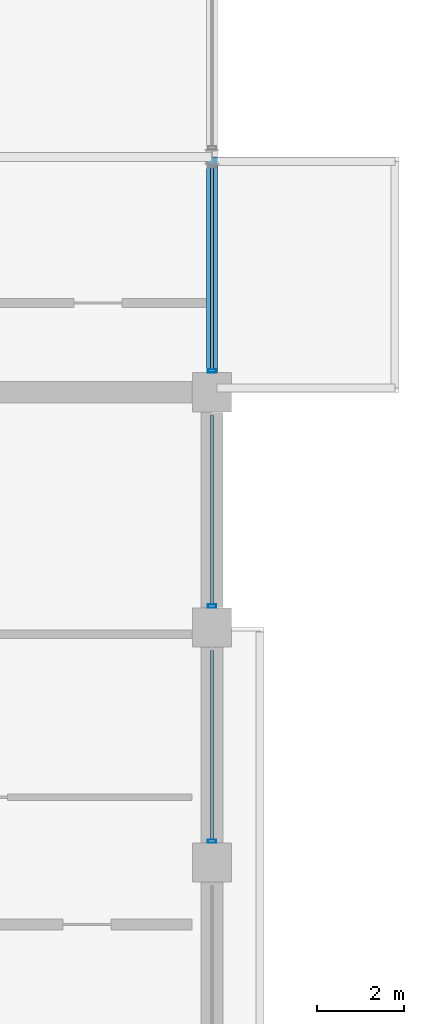
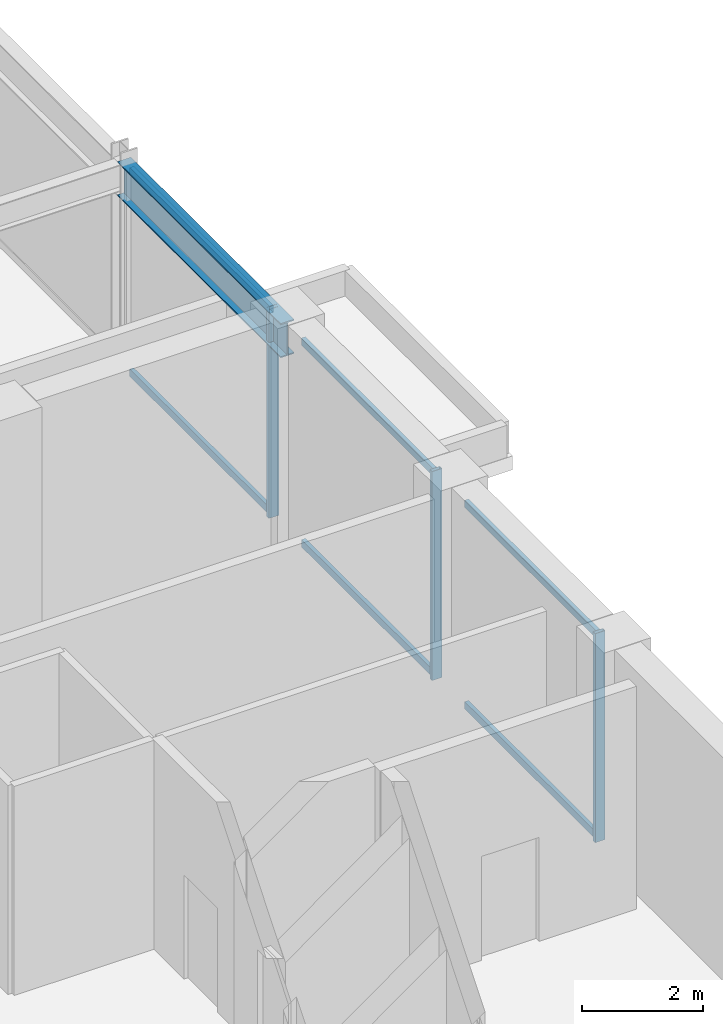
# One storey, part 9 of 18: 9 members, 1 beam, 1 element without a shape of its own.
"""IFC4 building model written with IfcOpenShell, lengths in metres."""

from ifc_helpers import new_model, si_unit, direction, frame, origin, origin_2d, place, context, subcontext, project, spatial, hollow_rectangle, i_section, extrude, material, layer, layer_set, material_profile, profile_set, type_object, element, aggregate, save


model = new_model("IFC4")

# Units and contexts
model_context = context("Model", 3, precision=1e-05, world=origin(), true_north=direction((0.0, 1.0)))
body_context = subcontext(model_context, "Body", "Model", "MODEL_VIEW")
ifc_project = project(units=[si_unit("LENGTHUNIT", "METRE"), si_unit("AREAUNIT", "SQUARE_METRE"), si_unit("VOLUMEUNIT", "CUBIC_METRE"), si_unit("PLANEANGLEUNIT", "RADIAN"), si_unit("MASSUNIT", "GRAM", prefix="KILO")], contexts=[model_context])

# Site, building, storey
site_placement = place(None, origin())
site = spatial("IfcSite", under=ifc_project, at=site_placement, CompositionType="ELEMENT")
building_placement = place(site_placement, origin())
building = spatial("IfcBuilding", under=site, at=building_placement, Name="Surkhivell Harbour Commons", CompositionType="ELEMENT")
storey_placement = place(building_placement, frame((0.0, 0.0, 351.0)))
storey = spatial("IfcBuildingStorey", under=building, at=storey_placement, Name="L91", CompositionType="ELEMENT", Elevation=351.0)

# Beam
ifc_material_1 = material(Name="Steel S355", Category="steel")
ifc_material_profile_1 = material_profile(ifc_material_1, i_section(OverallWidth=0.256103515625, OverallDepth=0.693115234375, WebThickness=0.014404296875, FlangeThickness=0.023681640625, at=origin_2d()), Name="UB686x254x170")
ifc_profile_set_1 = profile_set([ifc_material_profile_1], Name="Steel S355")
beam_type = type_object("IfcBeamType", Name="BM-SPN-686", PredefinedType="SPANDREL", material=ifc_profile_set_1)
beam_placement = place(storey_placement, frame((10.800048828125, 10.800048828125, 3.87353515625), z_axis=(0.0, 1.0, 0.0), x_axis=(-1.0, 0.0, 0.0)))
element("IfcBeam", 1, at=beam_placement, inside=storey, type_object=beam_type, Name="L91 Tube Spandrel (10.8,10.8)", PredefinedType="SPANDREL", context=body_context, shape_type="SweptSolid", body=[
    extrude(i_section(OverallWidth=0.256103515625, OverallDepth=0.693115234375, WebThickness=0.014404296875, FlangeThickness=0.023681640625, at=origin_2d()), origin(), (0.0, 0.0, 1.0), 5.39990234375),
])

# Curtain wall, members
ifc_material_2 = material(Name="Anodised pale-metal aluminium and insulated glazing", Category="aluminium")
ifc_layer = layer(ifc_material_2, 0.22998046875)
ifc_layer_set = layer_set([ifc_layer], Name="Anodised pale-metal aluminium and insulated glazing")
curtain_wall_type = type_object("IfcCurtainWallType", Name="CW-SYS-CRN", PredefinedType="NOTDEFINED", material=ifc_layer_set)
curtain_wall_placement = place(storey_placement, origin())
curtain_wall = element("IfcCurtainWall", 2, at=curtain_wall_placement, inside=storey, type_object=curtain_wall_type, Name="L91 Curtain Wall CW-L91-C06S1", PredefinedType="NOTDEFINED")
ifc_material_3 = material(Name="Anodised pale-metal aluminium alloy 6063-T6", Category="aluminium")
ifc_material_profile_2 = material_profile(ifc_material_3, hollow_rectangle(XDim=0.074951171875, YDim=0.18994140625, WallThickness=0.00390625, at=origin_2d()), Name="ALU-MULL-75x190")
ifc_profile_set_2 = profile_set([ifc_material_profile_2], Name="Anodised pale-metal aluminium alloy 6063-T6")
member_type_1 = type_object("IfcMemberType", Name="CWM-190", PredefinedType="MULLION", material=ifc_profile_set_2)
member_1_placement = place(storey_placement, frame((10.800048828125, 0.489501953125, 0.0), z_axis=(0.0, 0.0, 1.0), x_axis=(0.0, 1.0, 0.0)))
member_1 = element("IfcMember", 3, at=member_1_placement, type_object=member_type_1, Name="CW-CRN mullion 3", PredefinedType="MULLION", context=body_context, shape_type="SweptSolid", body=[
    extrude(hollow_rectangle(XDim=0.074951171875, YDim=0.18994140625, WallThickness=0.00390625, at=origin_2d()), origin(), (0.0, 0.0, 1.0), 4.219970703125),
])
member_2_placement = place(storey_placement, frame((10.800048828125, 5.889404296875, 0.0), z_axis=(0.0, 0.0, 1.0), x_axis=(0.0, 1.0, 0.0)))
member_2 = element("IfcMember", 4, at=member_2_placement, type_object=member_type_1, Name="CW-CRN mullion 4", PredefinedType="MULLION", context=body_context, shape_type="SweptSolid", body=[
    extrude(hollow_rectangle(XDim=0.074951171875, YDim=0.18994140625, WallThickness=0.00390625, at=origin_2d()), origin(), (0.0, 0.0, 1.0), 4.219970703125),
])
member_3_placement = place(storey_placement, frame((10.800048828125, 11.28955078125, 0.0), z_axis=(0.0, 0.0, 1.0), x_axis=(0.0, 1.0, 0.0)))
member_3 = element("IfcMember", 5, at=member_3_placement, type_object=member_type_1, Name="CW-CRN mullion 5", PredefinedType="MULLION", context=body_context, shape_type="SweptSolid", body=[
    extrude(hollow_rectangle(XDim=0.074951171875, YDim=0.18994140625, WallThickness=0.00390625, at=origin_2d()), origin(), (0.0, 0.0, 1.0), 4.219970703125),
])
ifc_material_profile_3 = material_profile(ifc_material_3, hollow_rectangle(XDim=0.074951171875, YDim=0.14990234375, WallThickness=0.00341796875, at=origin_2d()), Name="ALU-TRAN-75x150")
ifc_profile_set_3 = profile_set([ifc_material_profile_3], Name="Anodised pale-metal aluminium alloy 6063-T6")
member_type_2 = type_object("IfcMemberType", Name="CWT-150", PredefinedType="USERDEFINED", material=ifc_profile_set_3)
member_4_placement = place(storey_placement, frame((10.800048828125, 0.527099609375, 0.074951171875), z_axis=(0.0, 1.0, 0.0), x_axis=(-1.0, 0.0, 0.0)))
member_4 = element("IfcMember", 6, at=member_4_placement, type_object=member_type_2, Name="CW-CRN transom 3.1", ObjectType="TRANSOM", PredefinedType="USERDEFINED", context=body_context, shape_type="SweptSolid", body=[
    extrude(hollow_rectangle(XDim=0.074951171875, YDim=0.14990234375, WallThickness=0.00341796875, at=origin_2d()), origin(), (0.0, 0.0, 1.0), 4.345947265625),
])
member_5_placement = place(storey_placement, frame((10.800048828125, 0.527099609375, 4.14501953125), z_axis=(0.0, 1.0, 0.0), x_axis=(-1.0, 0.0, 0.0)))
member_5 = element("IfcMember", 7, at=member_5_placement, type_object=member_type_2, Name="CW-CRN transom 3.2", ObjectType="TRANSOM", PredefinedType="USERDEFINED", context=body_context, shape_type="SweptSolid", body=[
    extrude(hollow_rectangle(XDim=0.074951171875, YDim=0.14990234375, WallThickness=0.00341796875, at=origin_2d()), origin(), (0.0, 0.0, 1.0), 4.345947265625),
])
member_6_placement = place(storey_placement, frame((10.800048828125, 5.927001953125, 0.074951171875), z_axis=(0.0, 1.0, 0.0), x_axis=(-1.0, 0.0, 0.0)))
member_6 = element("IfcMember", 8, at=member_6_placement, type_object=member_type_2, Name="CW-CRN transom 4.1", ObjectType="TRANSOM", PredefinedType="USERDEFINED", context=body_context, shape_type="SweptSolid", body=[
    extrude(hollow_rectangle(XDim=0.074951171875, YDim=0.14990234375, WallThickness=0.00341796875, at=origin_2d()), origin(), (0.0, 0.0, 1.0), 4.345947265625),
])
member_7_placement = place(storey_placement, frame((10.800048828125, 5.927001953125, 4.14501953125), z_axis=(0.0, 1.0, 0.0), x_axis=(-1.0, 0.0, 0.0)))
member_7 = element("IfcMember", 9, at=member_7_placement, type_object=member_type_2, Name="CW-CRN transom 4.2", ObjectType="TRANSOM", PredefinedType="USERDEFINED", context=body_context, shape_type="SweptSolid", body=[
    extrude(hollow_rectangle(XDim=0.074951171875, YDim=0.14990234375, WallThickness=0.00341796875, at=origin_2d()), origin(), (0.0, 0.0, 1.0), 4.345947265625),
])
member_8_placement = place(storey_placement, frame((10.800048828125, 11.326904296875, 0.074951171875), z_axis=(0.0, 1.0, 0.0), x_axis=(-1.0, 0.0, 0.0)))
member_8 = element("IfcMember", 10, at=member_8_placement, type_object=member_type_2, Name="CW-CRN transom 5.1", ObjectType="TRANSOM", PredefinedType="USERDEFINED", context=body_context, shape_type="SweptSolid", body=[
    extrude(hollow_rectangle(XDim=0.074951171875, YDim=0.14990234375, WallThickness=0.00341796875, at=origin_2d()), origin(), (0.0, 0.0, 1.0), 4.6259765625),
])
member_9_placement = place(storey_placement, frame((10.800048828125, 11.326904296875, 4.14501953125), z_axis=(0.0, 1.0, 0.0), x_axis=(-1.0, 0.0, 0.0)))
member_9 = element("IfcMember", 11, at=member_9_placement, type_object=member_type_2, Name="CW-CRN transom 5.2", ObjectType="TRANSOM", PredefinedType="USERDEFINED", context=body_context, shape_type="SweptSolid", body=[
    extrude(hollow_rectangle(XDim=0.074951171875, YDim=0.14990234375, WallThickness=0.00341796875, at=origin_2d()), origin(), (0.0, 0.0, 1.0), 4.6259765625),
])
aggregate(curtain_wall, [member_1, member_4, member_5, member_2, member_6, member_7, member_3, member_8, member_9])

save(model, "model.ifc")
